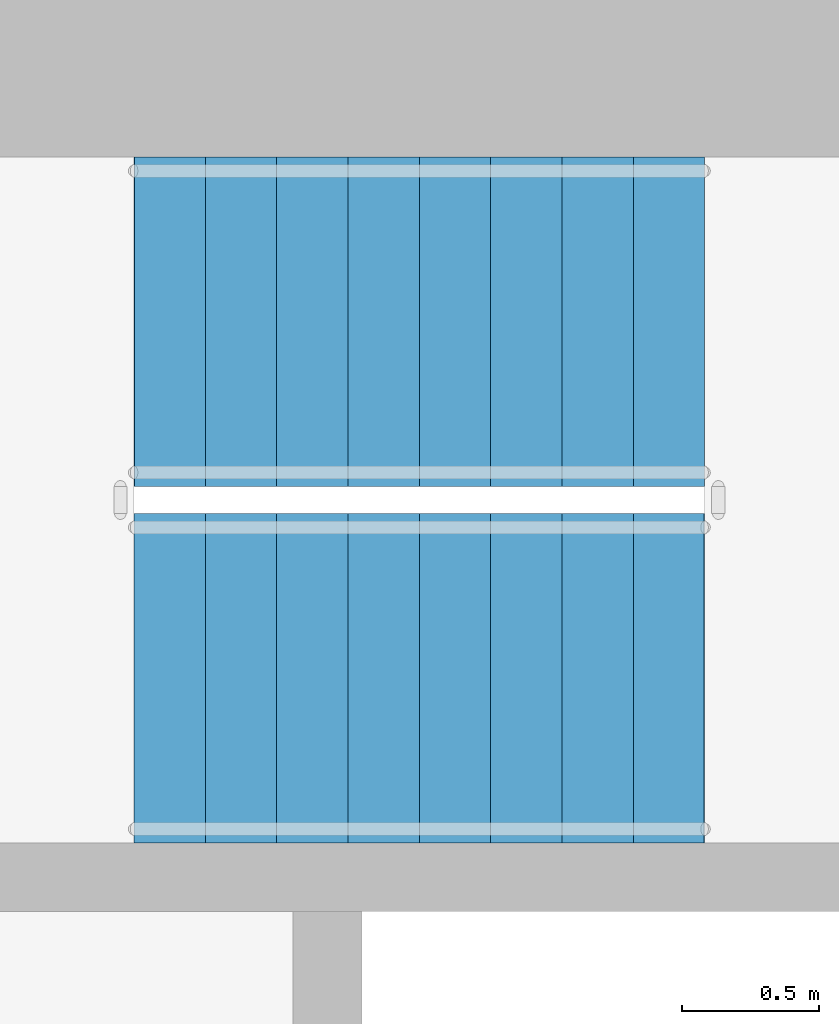
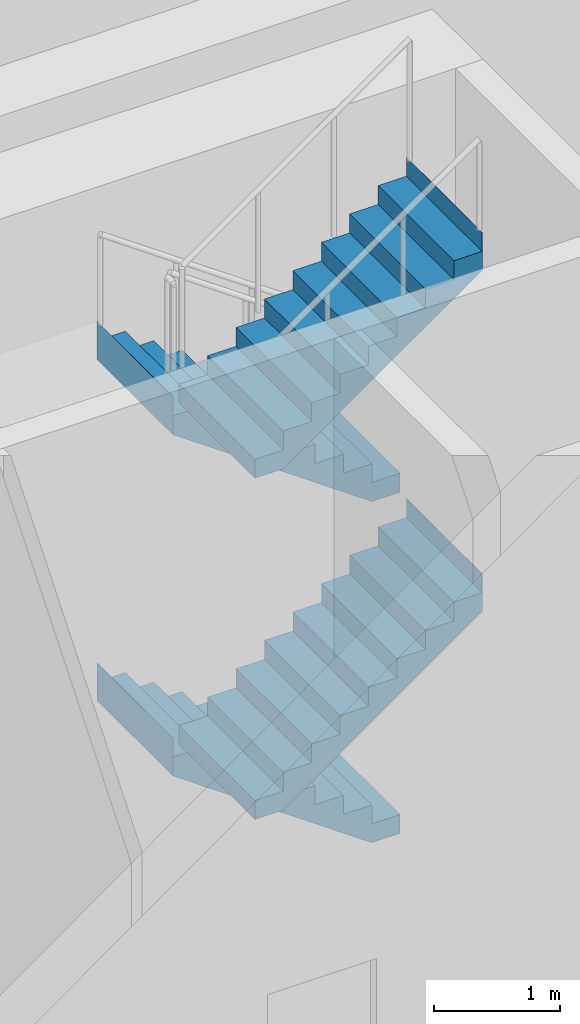
# One storey, part 30 of 33: 4 stair flights, 1 element without a shape of its own.
"""IFC4 building model written with IfcOpenShell, lengths in metres."""

from ifc_helpers import new_model, si_unit, direction, frame, origin, place, context, subcontext, project, spatial, triangles, material, type_object, element, aggregate, save


model = new_model("IFC4")

# Units and contexts
model_context = context("Model", 3, precision=1e-05, world=origin(), true_north=direction((0.0, 1.0)))
body_context = subcontext(model_context, "Body", "Model", "MODEL_VIEW")
ifc_project = project(units=[si_unit("LENGTHUNIT", "METRE"), si_unit("AREAUNIT", "SQUARE_METRE"), si_unit("VOLUMEUNIT", "CUBIC_METRE"), si_unit("PLANEANGLEUNIT", "RADIAN"), si_unit("MASSUNIT", "GRAM", prefix="KILO")], contexts=[model_context])

# Site, building, storey
site_placement = place(None, origin())
site = spatial("IfcSite", under=ifc_project, at=site_placement, CompositionType="ELEMENT")
building_placement = place(site_placement, origin())
building = spatial("IfcBuilding", under=site, at=building_placement, Name="Sahrelin Media Tower", CompositionType="ELEMENT")
storey_placement = place(building_placement, frame((0.0, 0.0, 37.39990234375)))
storey = spatial("IfcBuildingStorey", under=building, at=storey_placement, Name="L05", CompositionType="ELEMENT", Elevation=37.39990234375)

# Stair, stair flights
ifc_material = material(Name="Concrete C40/50", Category="concrete")
stair_type = type_object("IfcStairType", Name="Exit stair 1200", PredefinedType="HALF_TURN_STAIR", material=ifc_material)
stair_placement = place(storey_placement, origin())
stair = element("IfcStair", 1, at=stair_placement, inside=storey, type_object=stair_type, Name="L05 Exit stair ST3", PredefinedType="HALF_TURN_STAIR")
stair_flight_type = type_object("IfcStairFlightType", Name="Stair flight 1200", PredefinedType="STRAIGHT", material=ifc_material)
stair_flight_1_placement = place(storey_placement, frame((7.675048828125, 6.0, 0.0), z_axis=(0.0, 0.0, 1.0), x_axis=(-1.0, 0.0, 0.0)))
stair_flight_1 = element("IfcStairFlight", 2, at=stair_flight_1_placement, type_object=stair_flight_type, Name="ST3 flight 1", NumberOfRisers=9, NumberOfTreads=8, PredefinedType="STRAIGHT", RiserHeight=0.183333333, TreadLength=0.26, context=body_context, shape_type="Tessellation", body=[
    triangles([(0.260009765625, 0.60009765625, 0.0), (0.260009765625, 0.300048828125, 0.0), (0.260009765625, 0.0, 0.0), (0.260009765625, -0.300048828125, 0.0), (0.260009765625, -0.60009765625, 0.0), (2.080078125, 0.60009765625, 1.283203125), (2.080078125, 0.300048828125, 1.283203125), (2.080078125, 0.0, 1.283203125), (2.080078125, -0.300048828125, 1.283203125), (2.080078125, -0.60009765625, 1.283203125), (2.080078125, 0.60009765625, 1.64990234375), (2.080078125, 0.300048828125, 1.64990234375), (2.080078125, 0.0, 1.64990234375), (2.080078125, -0.300048828125, 1.64990234375), (2.080078125, -0.60009765625, 1.64990234375), (2.077880859375, 0.60009765625, 1.64990234375), (2.077880859375, 0.300048828125, 1.64990234375), (2.077880859375, 0.0, 1.64990234375), (2.077880859375, -0.300048828125, 1.64990234375), (2.077880859375, -0.60009765625, 1.64990234375), (2.077880859375, 0.60009765625, 1.466552734375), (2.077880859375, 0.300048828125, 1.466552734375), (2.077880859375, 0.0, 1.466552734375), (2.077880859375, -0.300048828125, 1.466552734375), (2.077880859375, -0.60009765625, 1.466552734375), (1.820068359375, 0.60009765625, 1.466552734375), (1.820068359375, 0.300048828125, 1.466552734375), (1.820068359375, 0.0, 1.466552734375), (1.820068359375, -0.300048828125, 1.466552734375), (1.820068359375, -0.60009765625, 1.466552734375), (1.820068359375, 0.60009765625, 1.283447265625), (1.820068359375, 0.300048828125, 1.283447265625), (1.820068359375, 0.0, 1.283447265625), (1.820068359375, -0.300048828125, 1.283447265625), (1.820068359375, -0.60009765625, 1.283447265625), (1.56005859375, 0.60009765625, 1.283447265625), (1.56005859375, 0.300048828125, 1.283447265625), (1.56005859375, 0.0, 1.283447265625), (1.56005859375, -0.300048828125, 1.283447265625), (1.56005859375, -0.60009765625, 1.283447265625), (1.56005859375, 0.60009765625, 1.10009765625), (1.56005859375, 0.300048828125, 1.10009765625), (1.56005859375, 0.0, 1.10009765625), (1.56005859375, -0.300048828125, 1.10009765625), (1.56005859375, -0.60009765625, 1.10009765625), (1.300048828125, 0.60009765625, 1.10009765625), (1.300048828125, 0.300048828125, 1.10009765625), (1.300048828125, 0.0, 1.10009765625), (1.300048828125, -0.300048828125, 1.10009765625), (1.300048828125, -0.60009765625, 1.10009765625), (1.300048828125, 0.60009765625, 0.916748046875), (1.300048828125, 0.300048828125, 0.916748046875), (1.300048828125, 0.0, 0.916748046875), (1.300048828125, -0.300048828125, 0.916748046875), (1.300048828125, -0.60009765625, 0.916748046875), (1.0400390625, 0.60009765625, 0.916748046875), (1.0400390625, 0.300048828125, 0.916748046875), (1.0400390625, 0.0, 0.916748046875), (1.0400390625, -0.300048828125, 0.916748046875), (1.0400390625, -0.60009765625, 0.916748046875), (1.0400390625, 0.60009765625, 0.7333984375), (1.0400390625, 0.300048828125, 0.7333984375), (1.0400390625, 0.0, 0.7333984375), (1.0400390625, -0.300048828125, 0.7333984375), (1.0400390625, -0.60009765625, 0.7333984375), (0.780029296875, 0.60009765625, 0.7333984375), (0.780029296875, 0.300048828125, 0.7333984375), (0.780029296875, 0.0, 0.7333984375), (0.780029296875, -0.300048828125, 0.7333984375), (0.780029296875, -0.60009765625, 0.7333984375), (0.780029296875, 0.60009765625, 0.550048828125), (0.780029296875, 0.300048828125, 0.550048828125), (0.780029296875, 0.0, 0.550048828125), (0.780029296875, -0.300048828125, 0.550048828125), (0.780029296875, -0.60009765625, 0.550048828125), (0.52001953125, 0.60009765625, 0.550048828125), (0.52001953125, 0.300048828125, 0.550048828125), (0.52001953125, 0.0, 0.550048828125), (0.52001953125, -0.300048828125, 0.550048828125), (0.52001953125, -0.60009765625, 0.550048828125), (0.52001953125, 0.60009765625, 0.36669921875), (0.52001953125, 0.300048828125, 0.36669921875), (0.52001953125, 0.0, 0.36669921875), (0.52001953125, -0.300048828125, 0.36669921875), (0.52001953125, -0.60009765625, 0.36669921875), (0.260009765625, 0.60009765625, 0.36669921875), (0.260009765625, 0.300048828125, 0.36669921875), (0.260009765625, 0.0, 0.36669921875), (0.260009765625, -0.300048828125, 0.36669921875), (0.260009765625, -0.60009765625, 0.36669921875), (0.260009765625, 0.60009765625, 0.183349609375), (0.260009765625, 0.300048828125, 0.183349609375), (0.260009765625, 0.0, 0.183349609375), (0.260009765625, -0.300048828125, 0.183349609375), (0.260009765625, -0.60009765625, 0.183349609375), (0.0, 0.60009765625, 0.183349609375), (0.0, 0.300048828125, 0.183349609375), (0.0, 0.0, 0.183349609375), (0.0, -0.300048828125, 0.183349609375), (0.0, -0.60009765625, 0.183349609375), (0.0, 0.60009765625, 0.0), (0.0, 0.300048828125, 0.0), (0.0, 0.0, 0.0), (0.0, -0.300048828125, 0.0), (0.0, -0.60009765625, 0.0)], [[1, 6, 7], [1, 7, 2], [2, 7, 8], [2, 8, 3], [3, 8, 9], [3, 9, 4], [4, 9, 10], [4, 10, 5], [6, 11, 12], [6, 12, 7], [7, 12, 13], [7, 13, 8], [8, 13, 14], [8, 14, 9], [9, 14, 15], [9, 15, 10], [11, 16, 17], [11, 17, 12], [12, 17, 18], [12, 18, 13], [13, 18, 19], [13, 19, 14], [14, 19, 20], [14, 20, 15], [16, 21, 22], [16, 22, 17], [17, 22, 23], [17, 23, 18], [18, 23, 24], [18, 24, 19], [19, 24, 25], [19, 25, 20], [21, 26, 27], [21, 27, 22], [22, 27, 28], [22, 28, 23], [23, 28, 29], [23, 29, 24], [24, 29, 30], [24, 30, 25], [26, 31, 32], [26, 32, 27], [27, 32, 33], [27, 33, 28], [28, 33, 34], [28, 34, 29], [29, 34, 35], [29, 35, 30], [31, 36, 37], [31, 37, 32], [32, 37, 38], [32, 38, 33], [33, 38, 39], [33, 39, 34], [34, 39, 40], [34, 40, 35], [36, 41, 42], [36, 42, 37], [37, 42, 43], [37, 43, 38], [38, 43, 44], [38, 44, 39], [39, 44, 45], [39, 45, 40], [41, 46, 47], [41, 47, 42], [42, 47, 48], [42, 48, 43], [43, 48, 49], [43, 49, 44], [44, 49, 50], [44, 50, 45], [46, 51, 52], [46, 52, 47], [47, 52, 53], [47, 53, 48], [48, 53, 54], [48, 54, 49], [49, 54, 55], [49, 55, 50], [51, 56, 57], [51, 57, 52], [52, 57, 58], [52, 58, 53], [53, 58, 59], [53, 59, 54], [54, 59, 60], [54, 60, 55], [56, 61, 62], [56, 62, 57], [57, 62, 63], [57, 63, 58], [58, 63, 64], [58, 64, 59], [59, 64, 65], [59, 65, 60], [61, 66, 67], [61, 67, 62], [62, 67, 68], [62, 68, 63], [63, 68, 69], [63, 69, 64], [64, 69, 70], [64, 70, 65], [66, 71, 72], [66, 72, 67], [67, 72, 73], [67, 73, 68], [68, 73, 74], [68, 74, 69], [69, 74, 75], [69, 75, 70], [71, 76, 77], [71, 77, 72], [72, 77, 78], [72, 78, 73], [73, 78, 79], [73, 79, 74], [74, 79, 80], [74, 80, 75], [76, 81, 82], [76, 82, 77], [77, 82, 83], [77, 83, 78], [78, 83, 84], [78, 84, 79], [79, 84, 85], [79, 85, 80], [81, 86, 87], [81, 87, 82], [82, 87, 88], [82, 88, 83], [83, 88, 89], [83, 89, 84], [84, 89, 90], [84, 90, 85], [86, 91, 92], [86, 92, 87], [87, 92, 93], [87, 93, 88], [88, 93, 94], [88, 94, 89], [89, 94, 95], [89, 95, 90], [91, 96, 97], [91, 97, 92], [92, 97, 98], [92, 98, 93], [93, 98, 99], [93, 99, 94], [94, 99, 100], [94, 100, 95], [96, 101, 102], [96, 102, 97], [97, 102, 103], [97, 103, 98], [98, 103, 104], [98, 104, 99], [99, 104, 105], [99, 105, 100], [101, 1, 2], [101, 2, 102], [102, 2, 3], [102, 3, 103], [103, 3, 4], [103, 4, 104], [104, 4, 5], [104, 5, 105], [95, 100, 105], [91, 101, 96], [95, 85, 90], [91, 86, 81], [85, 75, 80], [81, 76, 71], [75, 65, 70], [71, 66, 61], [65, 55, 60], [61, 56, 51], [55, 45, 50], [51, 46, 41], [45, 35, 40], [41, 36, 31], [35, 25, 30], [31, 26, 21], [25, 15, 20], [21, 16, 11], [105, 5, 95], [101, 91, 1], [25, 10, 15], [21, 11, 6], [85, 95, 5], [81, 1, 91], [35, 10, 25], [31, 21, 6], [75, 85, 5], [71, 1, 81], [45, 10, 35], [41, 31, 6], [65, 75, 5], [61, 1, 71], [55, 10, 45], [51, 41, 6], [5, 10, 65], [1, 61, 6], [65, 10, 55], [61, 51, 6]], closed=True),
])
stair_flight_2_placement = place(storey_placement, frame((5.594970703125, 4.699951171875, 1.650146484375), z_axis=(0.0, 0.0, 1.0), x_axis=(1.0, 0.0, 0.0)))
stair_flight_2 = element("IfcStairFlight", 3, at=stair_flight_2_placement, type_object=stair_flight_type, Name="ST3 flight 2", NumberOfRisers=9, NumberOfTreads=8, PredefinedType="STRAIGHT", RiserHeight=0.183333333, TreadLength=0.26, context=body_context, shape_type="Tessellation", body=[
    triangles([(0.260009765625, 0.60009765625, 0.0), (0.260009765625, 0.300048828125, 0.0), (0.260009765625, 0.0, 0.0), (0.260009765625, -0.300048828125, 0.0), (0.260009765625, -0.60009765625, 0.0), (2.080078125, 0.60009765625, 1.283203125), (2.080078125, 0.300048828125, 1.283203125), (2.080078125, 0.0, 1.283203125), (2.080078125, -0.300048828125, 1.283203125), (2.080078125, -0.60009765625, 1.283203125), (2.080078125, 0.60009765625, 1.64990234375), (2.080078125, 0.300048828125, 1.64990234375), (2.080078125, 0.0, 1.64990234375), (2.080078125, -0.300048828125, 1.64990234375), (2.080078125, -0.60009765625, 1.64990234375), (2.077880859375, 0.60009765625, 1.64990234375), (2.077880859375, 0.300048828125, 1.64990234375), (2.077880859375, 0.0, 1.64990234375), (2.077880859375, -0.300048828125, 1.64990234375), (2.077880859375, -0.60009765625, 1.64990234375), (2.077880859375, 0.60009765625, 1.466552734375), (2.077880859375, 0.300048828125, 1.466552734375), (2.077880859375, 0.0, 1.466552734375), (2.077880859375, -0.300048828125, 1.466552734375), (2.077880859375, -0.60009765625, 1.466552734375), (1.820068359375, 0.60009765625, 1.466552734375), (1.820068359375, 0.300048828125, 1.466552734375), (1.820068359375, 0.0, 1.466552734375), (1.820068359375, -0.300048828125, 1.466552734375), (1.820068359375, -0.60009765625, 1.466552734375), (1.820068359375, 0.60009765625, 1.283447265625), (1.820068359375, 0.300048828125, 1.283447265625), (1.820068359375, 0.0, 1.283447265625), (1.820068359375, -0.300048828125, 1.283447265625), (1.820068359375, -0.60009765625, 1.283447265625), (1.56005859375, 0.60009765625, 1.283447265625), (1.56005859375, 0.300048828125, 1.283447265625), (1.56005859375, 0.0, 1.283447265625), (1.56005859375, -0.300048828125, 1.283447265625), (1.56005859375, -0.60009765625, 1.283447265625), (1.56005859375, 0.60009765625, 1.10009765625), (1.56005859375, 0.300048828125, 1.10009765625), (1.56005859375, 0.0, 1.10009765625), (1.56005859375, -0.300048828125, 1.10009765625), (1.56005859375, -0.60009765625, 1.10009765625), (1.300048828125, 0.60009765625, 1.10009765625), (1.300048828125, 0.300048828125, 1.10009765625), (1.300048828125, 0.0, 1.10009765625), (1.300048828125, -0.300048828125, 1.10009765625), (1.300048828125, -0.60009765625, 1.10009765625), (1.300048828125, 0.60009765625, 0.916748046875), (1.300048828125, 0.300048828125, 0.916748046875), (1.300048828125, 0.0, 0.916748046875), (1.300048828125, -0.300048828125, 0.916748046875), (1.300048828125, -0.60009765625, 0.916748046875), (1.0400390625, 0.60009765625, 0.916748046875), (1.0400390625, 0.300048828125, 0.916748046875), (1.0400390625, 0.0, 0.916748046875), (1.0400390625, -0.300048828125, 0.916748046875), (1.0400390625, -0.60009765625, 0.916748046875), (1.0400390625, 0.60009765625, 0.7333984375), (1.0400390625, 0.300048828125, 0.7333984375), (1.0400390625, 0.0, 0.7333984375), (1.0400390625, -0.300048828125, 0.7333984375), (1.0400390625, -0.60009765625, 0.7333984375), (0.780029296875, 0.60009765625, 0.7333984375), (0.780029296875, 0.300048828125, 0.7333984375), (0.780029296875, 0.0, 0.7333984375), (0.780029296875, -0.300048828125, 0.7333984375), (0.780029296875, -0.60009765625, 0.7333984375), (0.780029296875, 0.60009765625, 0.550048828125), (0.780029296875, 0.300048828125, 0.550048828125), (0.780029296875, 0.0, 0.550048828125), (0.780029296875, -0.300048828125, 0.550048828125), (0.780029296875, -0.60009765625, 0.550048828125), (0.52001953125, 0.60009765625, 0.550048828125), (0.52001953125, 0.300048828125, 0.550048828125), (0.52001953125, 0.0, 0.550048828125), (0.52001953125, -0.300048828125, 0.550048828125), (0.52001953125, -0.60009765625, 0.550048828125), (0.52001953125, 0.60009765625, 0.36669921875), (0.52001953125, 0.300048828125, 0.36669921875), (0.52001953125, 0.0, 0.36669921875), (0.52001953125, -0.300048828125, 0.36669921875), (0.52001953125, -0.60009765625, 0.36669921875), (0.260009765625, 0.60009765625, 0.36669921875), (0.260009765625, 0.300048828125, 0.36669921875), (0.260009765625, 0.0, 0.36669921875), (0.260009765625, -0.300048828125, 0.36669921875), (0.260009765625, -0.60009765625, 0.36669921875), (0.260009765625, 0.60009765625, 0.183349609375), (0.260009765625, 0.300048828125, 0.183349609375), (0.260009765625, 0.0, 0.183349609375), (0.260009765625, -0.300048828125, 0.183349609375), (0.260009765625, -0.60009765625, 0.183349609375), (0.0, 0.60009765625, 0.183349609375), (0.0, 0.300048828125, 0.183349609375), (0.0, 0.0, 0.183349609375), (0.0, -0.300048828125, 0.183349609375), (0.0, -0.60009765625, 0.183349609375), (0.0, 0.60009765625, 0.0), (0.0, 0.300048828125, 0.0), (0.0, 0.0, 0.0), (0.0, -0.300048828125, 0.0), (0.0, -0.60009765625, 0.0)], [[1, 6, 7], [1, 7, 2], [2, 7, 8], [2, 8, 3], [3, 8, 9], [3, 9, 4], [4, 9, 10], [4, 10, 5], [6, 11, 12], [6, 12, 7], [7, 12, 13], [7, 13, 8], [8, 13, 14], [8, 14, 9], [9, 14, 15], [9, 15, 10], [11, 16, 17], [11, 17, 12], [12, 17, 18], [12, 18, 13], [13, 18, 19], [13, 19, 14], [14, 19, 20], [14, 20, 15], [16, 21, 22], [16, 22, 17], [17, 22, 23], [17, 23, 18], [18, 23, 24], [18, 24, 19], [19, 24, 25], [19, 25, 20], [21, 26, 27], [21, 27, 22], [22, 27, 28], [22, 28, 23], [23, 28, 29], [23, 29, 24], [24, 29, 30], [24, 30, 25], [26, 31, 32], [26, 32, 27], [27, 32, 33], [27, 33, 28], [28, 33, 34], [28, 34, 29], [29, 34, 35], [29, 35, 30], [31, 36, 37], [31, 37, 32], [32, 37, 38], [32, 38, 33], [33, 38, 39], [33, 39, 34], [34, 39, 40], [34, 40, 35], [36, 41, 42], [36, 42, 37], [37, 42, 43], [37, 43, 38], [38, 43, 44], [38, 44, 39], [39, 44, 45], [39, 45, 40], [41, 46, 47], [41, 47, 42], [42, 47, 48], [42, 48, 43], [43, 48, 49], [43, 49, 44], [44, 49, 50], [44, 50, 45], [46, 51, 52], [46, 52, 47], [47, 52, 53], [47, 53, 48], [48, 53, 54], [48, 54, 49], [49, 54, 55], [49, 55, 50], [51, 56, 57], [51, 57, 52], [52, 57, 58], [52, 58, 53], [53, 58, 59], [53, 59, 54], [54, 59, 60], [54, 60, 55], [56, 61, 62], [56, 62, 57], [57, 62, 63], [57, 63, 58], [58, 63, 64], [58, 64, 59], [59, 64, 65], [59, 65, 60], [61, 66, 67], [61, 67, 62], [62, 67, 68], [62, 68, 63], [63, 68, 69], [63, 69, 64], [64, 69, 70], [64, 70, 65], [66, 71, 72], [66, 72, 67], [67, 72, 73], [67, 73, 68], [68, 73, 74], [68, 74, 69], [69, 74, 75], [69, 75, 70], [71, 76, 77], [71, 77, 72], [72, 77, 78], [72, 78, 73], [73, 78, 79], [73, 79, 74], [74, 79, 80], [74, 80, 75], [76, 81, 82], [76, 82, 77], [77, 82, 83], [77, 83, 78], [78, 83, 84], [78, 84, 79], [79, 84, 85], [79, 85, 80], [81, 86, 87], [81, 87, 82], [82, 87, 88], [82, 88, 83], [83, 88, 89], [83, 89, 84], [84, 89, 90], [84, 90, 85], [86, 91, 92], [86, 92, 87], [87, 92, 93], [87, 93, 88], [88, 93, 94], [88, 94, 89], [89, 94, 95], [89, 95, 90], [91, 96, 97], [91, 97, 92], [92, 97, 98], [92, 98, 93], [93, 98, 99], [93, 99, 94], [94, 99, 100], [94, 100, 95], [96, 101, 102], [96, 102, 97], [97, 102, 103], [97, 103, 98], [98, 103, 104], [98, 104, 99], [99, 104, 105], [99, 105, 100], [101, 1, 2], [101, 2, 102], [102, 2, 3], [102, 3, 103], [103, 3, 4], [103, 4, 104], [104, 4, 5], [104, 5, 105], [95, 100, 105], [91, 101, 96], [95, 85, 90], [91, 86, 81], [85, 75, 80], [81, 76, 71], [75, 65, 70], [71, 66, 61], [65, 55, 60], [61, 56, 51], [55, 45, 50], [51, 46, 41], [45, 35, 40], [41, 36, 31], [35, 25, 30], [31, 26, 21], [25, 15, 20], [21, 16, 11], [105, 5, 95], [101, 91, 1], [25, 10, 15], [21, 11, 6], [85, 95, 5], [81, 1, 91], [35, 10, 25], [31, 21, 6], [75, 85, 5], [71, 1, 81], [45, 10, 35], [41, 31, 6], [65, 75, 5], [61, 1, 71], [55, 10, 45], [51, 41, 6], [5, 10, 65], [1, 61, 6], [65, 10, 55], [61, 51, 6]], closed=True),
])
stair_flight_3_placement = place(storey_placement, frame((7.675048828125, 6.0, 3.300048828125), z_axis=(0.0, 0.0, 1.0), x_axis=(-1.0, 0.0, 0.0)))
stair_flight_3 = element("IfcStairFlight", 4, at=stair_flight_3_placement, type_object=stair_flight_type, Name="ST3 flight 3", NumberOfRisers=9, NumberOfTreads=8, PredefinedType="STRAIGHT", RiserHeight=0.183333333, TreadLength=0.26, context=body_context, shape_type="Tessellation", body=[
    triangles([(0.260009765625, 0.60009765625, 0.0), (0.260009765625, 0.300048828125, 0.0), (0.260009765625, 0.0, 0.0), (0.260009765625, -0.300048828125, 0.0), (0.260009765625, -0.60009765625, 0.0), (2.080078125, 0.60009765625, 1.283203125), (2.080078125, 0.300048828125, 1.283203125), (2.080078125, 0.0, 1.283203125), (2.080078125, -0.300048828125, 1.283203125), (2.080078125, -0.60009765625, 1.283203125), (2.080078125, 0.60009765625, 1.64990234375), (2.080078125, 0.300048828125, 1.64990234375), (2.080078125, 0.0, 1.64990234375), (2.080078125, -0.300048828125, 1.64990234375), (2.080078125, -0.60009765625, 1.64990234375), (2.077880859375, 0.60009765625, 1.64990234375), (2.077880859375, 0.300048828125, 1.64990234375), (2.077880859375, 0.0, 1.64990234375), (2.077880859375, -0.300048828125, 1.64990234375), (2.077880859375, -0.60009765625, 1.64990234375), (2.077880859375, 0.60009765625, 1.466552734375), (2.077880859375, 0.300048828125, 1.466552734375), (2.077880859375, 0.0, 1.466552734375), (2.077880859375, -0.300048828125, 1.466552734375), (2.077880859375, -0.60009765625, 1.466552734375), (1.820068359375, 0.60009765625, 1.466552734375), (1.820068359375, 0.300048828125, 1.466552734375), (1.820068359375, 0.0, 1.466552734375), (1.820068359375, -0.300048828125, 1.466552734375), (1.820068359375, -0.60009765625, 1.466552734375), (1.820068359375, 0.60009765625, 1.283447265625), (1.820068359375, 0.300048828125, 1.283447265625), (1.820068359375, 0.0, 1.283447265625), (1.820068359375, -0.300048828125, 1.283447265625), (1.820068359375, -0.60009765625, 1.283447265625), (1.56005859375, 0.60009765625, 1.283447265625), (1.56005859375, 0.300048828125, 1.283447265625), (1.56005859375, 0.0, 1.283447265625), (1.56005859375, -0.300048828125, 1.283447265625), (1.56005859375, -0.60009765625, 1.283447265625), (1.56005859375, 0.60009765625, 1.10009765625), (1.56005859375, 0.300048828125, 1.10009765625), (1.56005859375, 0.0, 1.10009765625), (1.56005859375, -0.300048828125, 1.10009765625), (1.56005859375, -0.60009765625, 1.10009765625), (1.300048828125, 0.60009765625, 1.10009765625), (1.300048828125, 0.300048828125, 1.10009765625), (1.300048828125, 0.0, 1.10009765625), (1.300048828125, -0.300048828125, 1.10009765625), (1.300048828125, -0.60009765625, 1.10009765625), (1.300048828125, 0.60009765625, 0.916748046875), (1.300048828125, 0.300048828125, 0.916748046875), (1.300048828125, 0.0, 0.916748046875), (1.300048828125, -0.300048828125, 0.916748046875), (1.300048828125, -0.60009765625, 0.916748046875), (1.0400390625, 0.60009765625, 0.916748046875), (1.0400390625, 0.300048828125, 0.916748046875), (1.0400390625, 0.0, 0.916748046875), (1.0400390625, -0.300048828125, 0.916748046875), (1.0400390625, -0.60009765625, 0.916748046875), (1.0400390625, 0.60009765625, 0.7333984375), (1.0400390625, 0.300048828125, 0.7333984375), (1.0400390625, 0.0, 0.7333984375), (1.0400390625, -0.300048828125, 0.7333984375), (1.0400390625, -0.60009765625, 0.7333984375), (0.780029296875, 0.60009765625, 0.7333984375), (0.780029296875, 0.300048828125, 0.7333984375), (0.780029296875, 0.0, 0.7333984375), (0.780029296875, -0.300048828125, 0.7333984375), (0.780029296875, -0.60009765625, 0.7333984375), (0.780029296875, 0.60009765625, 0.550048828125), (0.780029296875, 0.300048828125, 0.550048828125), (0.780029296875, 0.0, 0.550048828125), (0.780029296875, -0.300048828125, 0.550048828125), (0.780029296875, -0.60009765625, 0.550048828125), (0.52001953125, 0.60009765625, 0.550048828125), (0.52001953125, 0.300048828125, 0.550048828125), (0.52001953125, 0.0, 0.550048828125), (0.52001953125, -0.300048828125, 0.550048828125), (0.52001953125, -0.60009765625, 0.550048828125), (0.52001953125, 0.60009765625, 0.36669921875), (0.52001953125, 0.300048828125, 0.36669921875), (0.52001953125, 0.0, 0.36669921875), (0.52001953125, -0.300048828125, 0.36669921875), (0.52001953125, -0.60009765625, 0.36669921875), (0.260009765625, 0.60009765625, 0.36669921875), (0.260009765625, 0.300048828125, 0.36669921875), (0.260009765625, 0.0, 0.36669921875), (0.260009765625, -0.300048828125, 0.36669921875), (0.260009765625, -0.60009765625, 0.36669921875), (0.260009765625, 0.60009765625, 0.183349609375), (0.260009765625, 0.300048828125, 0.183349609375), (0.260009765625, 0.0, 0.183349609375), (0.260009765625, -0.300048828125, 0.183349609375), (0.260009765625, -0.60009765625, 0.183349609375), (0.0, 0.60009765625, 0.183349609375), (0.0, 0.300048828125, 0.183349609375), (0.0, 0.0, 0.183349609375), (0.0, -0.300048828125, 0.183349609375), (0.0, -0.60009765625, 0.183349609375), (0.0, 0.60009765625, 0.0), (0.0, 0.300048828125, 0.0), (0.0, 0.0, 0.0), (0.0, -0.300048828125, 0.0), (0.0, -0.60009765625, 0.0)], [[1, 6, 7], [1, 7, 2], [2, 7, 8], [2, 8, 3], [3, 8, 9], [3, 9, 4], [4, 9, 10], [4, 10, 5], [6, 11, 12], [6, 12, 7], [7, 12, 13], [7, 13, 8], [8, 13, 14], [8, 14, 9], [9, 14, 15], [9, 15, 10], [11, 16, 17], [11, 17, 12], [12, 17, 18], [12, 18, 13], [13, 18, 19], [13, 19, 14], [14, 19, 20], [14, 20, 15], [16, 21, 22], [16, 22, 17], [17, 22, 23], [17, 23, 18], [18, 23, 24], [18, 24, 19], [19, 24, 25], [19, 25, 20], [21, 26, 27], [21, 27, 22], [22, 27, 28], [22, 28, 23], [23, 28, 29], [23, 29, 24], [24, 29, 30], [24, 30, 25], [26, 31, 32], [26, 32, 27], [27, 32, 33], [27, 33, 28], [28, 33, 34], [28, 34, 29], [29, 34, 35], [29, 35, 30], [31, 36, 37], [31, 37, 32], [32, 37, 38], [32, 38, 33], [33, 38, 39], [33, 39, 34], [34, 39, 40], [34, 40, 35], [36, 41, 42], [36, 42, 37], [37, 42, 43], [37, 43, 38], [38, 43, 44], [38, 44, 39], [39, 44, 45], [39, 45, 40], [41, 46, 47], [41, 47, 42], [42, 47, 48], [42, 48, 43], [43, 48, 49], [43, 49, 44], [44, 49, 50], [44, 50, 45], [46, 51, 52], [46, 52, 47], [47, 52, 53], [47, 53, 48], [48, 53, 54], [48, 54, 49], [49, 54, 55], [49, 55, 50], [51, 56, 57], [51, 57, 52], [52, 57, 58], [52, 58, 53], [53, 58, 59], [53, 59, 54], [54, 59, 60], [54, 60, 55], [56, 61, 62], [56, 62, 57], [57, 62, 63], [57, 63, 58], [58, 63, 64], [58, 64, 59], [59, 64, 65], [59, 65, 60], [61, 66, 67], [61, 67, 62], [62, 67, 68], [62, 68, 63], [63, 68, 69], [63, 69, 64], [64, 69, 70], [64, 70, 65], [66, 71, 72], [66, 72, 67], [67, 72, 73], [67, 73, 68], [68, 73, 74], [68, 74, 69], [69, 74, 75], [69, 75, 70], [71, 76, 77], [71, 77, 72], [72, 77, 78], [72, 78, 73], [73, 78, 79], [73, 79, 74], [74, 79, 80], [74, 80, 75], [76, 81, 82], [76, 82, 77], [77, 82, 83], [77, 83, 78], [78, 83, 84], [78, 84, 79], [79, 84, 85], [79, 85, 80], [81, 86, 87], [81, 87, 82], [82, 87, 88], [82, 88, 83], [83, 88, 89], [83, 89, 84], [84, 89, 90], [84, 90, 85], [86, 91, 92], [86, 92, 87], [87, 92, 93], [87, 93, 88], [88, 93, 94], [88, 94, 89], [89, 94, 95], [89, 95, 90], [91, 96, 97], [91, 97, 92], [92, 97, 98], [92, 98, 93], [93, 98, 99], [93, 99, 94], [94, 99, 100], [94, 100, 95], [96, 101, 102], [96, 102, 97], [97, 102, 103], [97, 103, 98], [98, 103, 104], [98, 104, 99], [99, 104, 105], [99, 105, 100], [101, 1, 2], [101, 2, 102], [102, 2, 3], [102, 3, 103], [103, 3, 4], [103, 4, 104], [104, 4, 5], [104, 5, 105], [95, 100, 105], [91, 101, 96], [95, 85, 90], [91, 86, 81], [85, 75, 80], [81, 76, 71], [75, 65, 70], [71, 66, 61], [65, 55, 60], [61, 56, 51], [55, 45, 50], [51, 46, 41], [45, 35, 40], [41, 36, 31], [35, 25, 30], [31, 26, 21], [25, 15, 20], [21, 16, 11], [105, 5, 95], [101, 91, 1], [25, 10, 15], [21, 11, 6], [85, 95, 5], [81, 1, 91], [35, 10, 25], [31, 21, 6], [75, 85, 5], [71, 1, 81], [45, 10, 35], [41, 31, 6], [65, 75, 5], [61, 1, 71], [55, 10, 45], [51, 41, 6], [5, 10, 65], [1, 61, 6], [65, 10, 55], [61, 51, 6]], closed=True),
])
stair_flight_4_placement = place(storey_placement, frame((5.594970703125, 4.699951171875, 4.9501953125), z_axis=(0.0, 0.0, 1.0), x_axis=(1.0, 0.0, 0.0)))
stair_flight_4 = element("IfcStairFlight", 5, at=stair_flight_4_placement, type_object=stair_flight_type, Name="ST3 flight 4", NumberOfRisers=9, NumberOfTreads=8, PredefinedType="STRAIGHT", RiserHeight=0.183333333, TreadLength=0.26, context=body_context, shape_type="Tessellation", body=[
    triangles([(0.260009765625, 0.60009765625, 0.0), (0.260009765625, 0.300048828125, 0.0), (0.260009765625, 0.0, 0.0), (0.260009765625, -0.300048828125, 0.0), (0.260009765625, -0.60009765625, 0.0), (2.080078125, 0.60009765625, 1.283203125), (2.080078125, 0.300048828125, 1.283203125), (2.080078125, 0.0, 1.283203125), (2.080078125, -0.300048828125, 1.283203125), (2.080078125, -0.60009765625, 1.283203125), (2.080078125, 0.60009765625, 1.64990234375), (2.080078125, 0.300048828125, 1.64990234375), (2.080078125, 0.0, 1.64990234375), (2.080078125, -0.300048828125, 1.64990234375), (2.080078125, -0.60009765625, 1.64990234375), (2.077880859375, 0.60009765625, 1.64990234375), (2.077880859375, 0.300048828125, 1.64990234375), (2.077880859375, 0.0, 1.64990234375), (2.077880859375, -0.300048828125, 1.64990234375), (2.077880859375, -0.60009765625, 1.64990234375), (2.077880859375, 0.60009765625, 1.466552734375), (2.077880859375, 0.300048828125, 1.466552734375), (2.077880859375, 0.0, 1.466552734375), (2.077880859375, -0.300048828125, 1.466552734375), (2.077880859375, -0.60009765625, 1.466552734375), (1.820068359375, 0.60009765625, 1.466552734375), (1.820068359375, 0.300048828125, 1.466552734375), (1.820068359375, 0.0, 1.466552734375), (1.820068359375, -0.300048828125, 1.466552734375), (1.820068359375, -0.60009765625, 1.466552734375), (1.820068359375, 0.60009765625, 1.283447265625), (1.820068359375, 0.300048828125, 1.283447265625), (1.820068359375, 0.0, 1.283447265625), (1.820068359375, -0.300048828125, 1.283447265625), (1.820068359375, -0.60009765625, 1.283447265625), (1.56005859375, 0.60009765625, 1.283447265625), (1.56005859375, 0.300048828125, 1.283447265625), (1.56005859375, 0.0, 1.283447265625), (1.56005859375, -0.300048828125, 1.283447265625), (1.56005859375, -0.60009765625, 1.283447265625), (1.56005859375, 0.60009765625, 1.10009765625), (1.56005859375, 0.300048828125, 1.10009765625), (1.56005859375, 0.0, 1.10009765625), (1.56005859375, -0.300048828125, 1.10009765625), (1.56005859375, -0.60009765625, 1.10009765625), (1.300048828125, 0.60009765625, 1.10009765625), (1.300048828125, 0.300048828125, 1.10009765625), (1.300048828125, 0.0, 1.10009765625), (1.300048828125, -0.300048828125, 1.10009765625), (1.300048828125, -0.60009765625, 1.10009765625), (1.300048828125, 0.60009765625, 0.916748046875), (1.300048828125, 0.300048828125, 0.916748046875), (1.300048828125, 0.0, 0.916748046875), (1.300048828125, -0.300048828125, 0.916748046875), (1.300048828125, -0.60009765625, 0.916748046875), (1.0400390625, 0.60009765625, 0.916748046875), (1.0400390625, 0.300048828125, 0.916748046875), (1.0400390625, 0.0, 0.916748046875), (1.0400390625, -0.300048828125, 0.916748046875), (1.0400390625, -0.60009765625, 0.916748046875), (1.0400390625, 0.60009765625, 0.7333984375), (1.0400390625, 0.300048828125, 0.7333984375), (1.0400390625, 0.0, 0.7333984375), (1.0400390625, -0.300048828125, 0.7333984375), (1.0400390625, -0.60009765625, 0.7333984375), (0.780029296875, 0.60009765625, 0.7333984375), (0.780029296875, 0.300048828125, 0.7333984375), (0.780029296875, 0.0, 0.7333984375), (0.780029296875, -0.300048828125, 0.7333984375), (0.780029296875, -0.60009765625, 0.7333984375), (0.780029296875, 0.60009765625, 0.550048828125), (0.780029296875, 0.300048828125, 0.550048828125), (0.780029296875, 0.0, 0.550048828125), (0.780029296875, -0.300048828125, 0.550048828125), (0.780029296875, -0.60009765625, 0.550048828125), (0.52001953125, 0.60009765625, 0.550048828125), (0.52001953125, 0.300048828125, 0.550048828125), (0.52001953125, 0.0, 0.550048828125), (0.52001953125, -0.300048828125, 0.550048828125), (0.52001953125, -0.60009765625, 0.550048828125), (0.52001953125, 0.60009765625, 0.36669921875), (0.52001953125, 0.300048828125, 0.36669921875), (0.52001953125, 0.0, 0.36669921875), (0.52001953125, -0.300048828125, 0.36669921875), (0.52001953125, -0.60009765625, 0.36669921875), (0.260009765625, 0.60009765625, 0.36669921875), (0.260009765625, 0.300048828125, 0.36669921875), (0.260009765625, 0.0, 0.36669921875), (0.260009765625, -0.300048828125, 0.36669921875), (0.260009765625, -0.60009765625, 0.36669921875), (0.260009765625, 0.60009765625, 0.183349609375), (0.260009765625, 0.300048828125, 0.183349609375), (0.260009765625, 0.0, 0.183349609375), (0.260009765625, -0.300048828125, 0.183349609375), (0.260009765625, -0.60009765625, 0.183349609375), (0.0, 0.60009765625, 0.183349609375), (0.0, 0.300048828125, 0.183349609375), (0.0, 0.0, 0.183349609375), (0.0, -0.300048828125, 0.183349609375), (0.0, -0.60009765625, 0.183349609375), (0.0, 0.60009765625, 0.0), (0.0, 0.300048828125, 0.0), (0.0, 0.0, 0.0), (0.0, -0.300048828125, 0.0), (0.0, -0.60009765625, 0.0)], [[1, 6, 7], [1, 7, 2], [2, 7, 8], [2, 8, 3], [3, 8, 9], [3, 9, 4], [4, 9, 10], [4, 10, 5], [6, 11, 12], [6, 12, 7], [7, 12, 13], [7, 13, 8], [8, 13, 14], [8, 14, 9], [9, 14, 15], [9, 15, 10], [11, 16, 17], [11, 17, 12], [12, 17, 18], [12, 18, 13], [13, 18, 19], [13, 19, 14], [14, 19, 20], [14, 20, 15], [16, 21, 22], [16, 22, 17], [17, 22, 23], [17, 23, 18], [18, 23, 24], [18, 24, 19], [19, 24, 25], [19, 25, 20], [21, 26, 27], [21, 27, 22], [22, 27, 28], [22, 28, 23], [23, 28, 29], [23, 29, 24], [24, 29, 30], [24, 30, 25], [26, 31, 32], [26, 32, 27], [27, 32, 33], [27, 33, 28], [28, 33, 34], [28, 34, 29], [29, 34, 35], [29, 35, 30], [31, 36, 37], [31, 37, 32], [32, 37, 38], [32, 38, 33], [33, 38, 39], [33, 39, 34], [34, 39, 40], [34, 40, 35], [36, 41, 42], [36, 42, 37], [37, 42, 43], [37, 43, 38], [38, 43, 44], [38, 44, 39], [39, 44, 45], [39, 45, 40], [41, 46, 47], [41, 47, 42], [42, 47, 48], [42, 48, 43], [43, 48, 49], [43, 49, 44], [44, 49, 50], [44, 50, 45], [46, 51, 52], [46, 52, 47], [47, 52, 53], [47, 53, 48], [48, 53, 54], [48, 54, 49], [49, 54, 55], [49, 55, 50], [51, 56, 57], [51, 57, 52], [52, 57, 58], [52, 58, 53], [53, 58, 59], [53, 59, 54], [54, 59, 60], [54, 60, 55], [56, 61, 62], [56, 62, 57], [57, 62, 63], [57, 63, 58], [58, 63, 64], [58, 64, 59], [59, 64, 65], [59, 65, 60], [61, 66, 67], [61, 67, 62], [62, 67, 68], [62, 68, 63], [63, 68, 69], [63, 69, 64], [64, 69, 70], [64, 70, 65], [66, 71, 72], [66, 72, 67], [67, 72, 73], [67, 73, 68], [68, 73, 74], [68, 74, 69], [69, 74, 75], [69, 75, 70], [71, 76, 77], [71, 77, 72], [72, 77, 78], [72, 78, 73], [73, 78, 79], [73, 79, 74], [74, 79, 80], [74, 80, 75], [76, 81, 82], [76, 82, 77], [77, 82, 83], [77, 83, 78], [78, 83, 84], [78, 84, 79], [79, 84, 85], [79, 85, 80], [81, 86, 87], [81, 87, 82], [82, 87, 88], [82, 88, 83], [83, 88, 89], [83, 89, 84], [84, 89, 90], [84, 90, 85], [86, 91, 92], [86, 92, 87], [87, 92, 93], [87, 93, 88], [88, 93, 94], [88, 94, 89], [89, 94, 95], [89, 95, 90], [91, 96, 97], [91, 97, 92], [92, 97, 98], [92, 98, 93], [93, 98, 99], [93, 99, 94], [94, 99, 100], [94, 100, 95], [96, 101, 102], [96, 102, 97], [97, 102, 103], [97, 103, 98], [98, 103, 104], [98, 104, 99], [99, 104, 105], [99, 105, 100], [101, 1, 2], [101, 2, 102], [102, 2, 3], [102, 3, 103], [103, 3, 4], [103, 4, 104], [104, 4, 5], [104, 5, 105], [95, 100, 105], [91, 101, 96], [95, 85, 90], [91, 86, 81], [85, 75, 80], [81, 76, 71], [75, 65, 70], [71, 66, 61], [65, 55, 60], [61, 56, 51], [55, 45, 50], [51, 46, 41], [45, 35, 40], [41, 36, 31], [35, 25, 30], [31, 26, 21], [25, 15, 20], [21, 16, 11], [105, 5, 95], [101, 91, 1], [25, 10, 15], [21, 11, 6], [85, 95, 5], [81, 1, 91], [35, 10, 25], [31, 21, 6], [75, 85, 5], [71, 1, 81], [45, 10, 35], [41, 31, 6], [65, 75, 5], [61, 1, 71], [55, 10, 45], [51, 41, 6], [5, 10, 65], [1, 61, 6], [65, 10, 55], [61, 51, 6]], closed=True),
])
aggregate(stair, [stair_flight_1, stair_flight_2, stair_flight_3, stair_flight_4])

save(model, "model.ifc")
